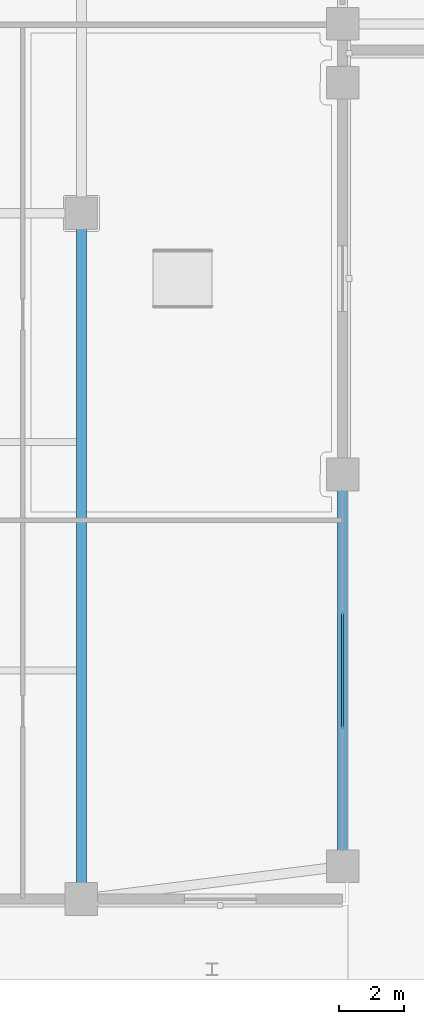
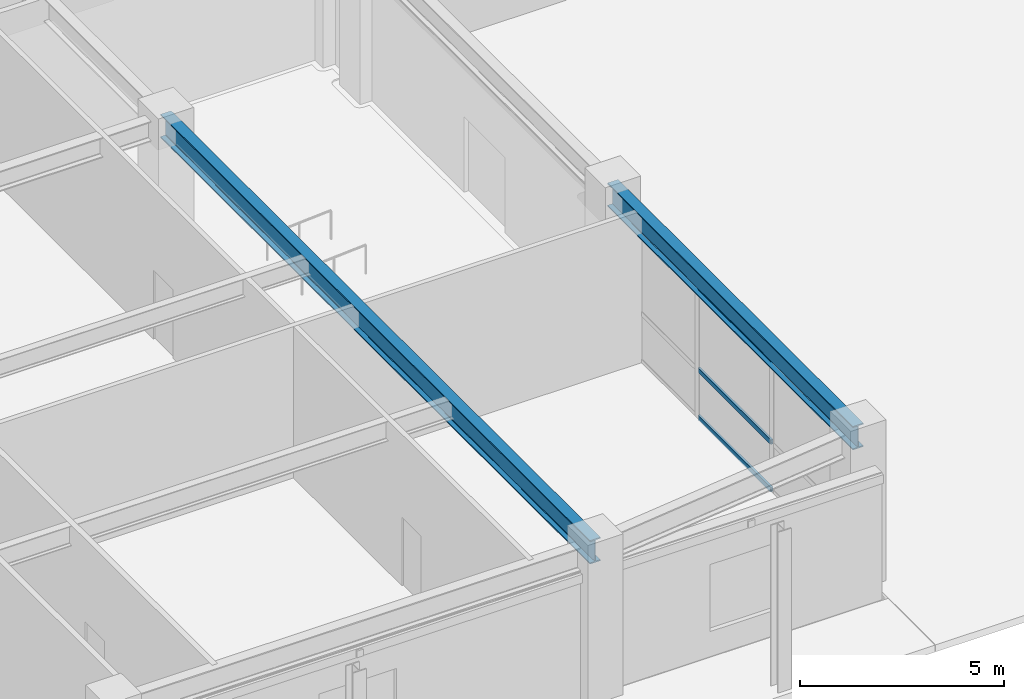
# One storey, part 6 of 40: 3 members, 2 beams, 1 element without a shape of its own.
"""IFC4 building model written with IfcOpenShell, lengths in metres."""

import ifcopenshell
import ifcopenshell.guid

model = None  # the IFC model being written
_history = None  # IfcOwnerHistory: only IFC2X3 demands one
_inside = {}  # id of a spatial element -> (the spatial element, [elements in it])
_under = {}  # id of a project, library or spatial element -> (it, [spatial elements below it])
_declared = {}  # id of a project -> (the project, [libraries it declares])
_typed = {}  # id of a type object -> (the type object, [elements of that type])
_made_of = {}  # id of a material, layer set ... -> (it, [elements and type objects made of it])


def new_model(schema):
    """Start an empty IFC model of exactly this schema.

    Asked for "IFC4X3", IfcOpenShell would pick the latest addendum, in which some entities
    have other attributes; the version numbers below select the first issue.
    IFC2X3 requires an IfcOwnerHistory on every rooted entity: one is made here for all.
    """
    global model, _history
    if schema == "IFC4X3":
        model = ifcopenshell.file(schema_version=(4, 3, 0, 0))
    else:
        model = ifcopenshell.file(schema=schema)
    _inside.clear()
    _under.clear()
    _declared.clear()
    _typed.clear()
    _made_of.clear()
    _history = None
    if model.schema == "IFC2X3":
        org = make("IfcOrganization", Name="unknown")
        user = make(
            "IfcPersonAndOrganization",
            ThePerson=make("IfcPerson", FamilyName="unknown"),
            TheOrganization=org,
        )
        app = make(
            "IfcApplication",
            ApplicationDeveloper=org,
            Version="unknown",
            ApplicationFullName="unknown",
            ApplicationIdentifier="unknown",
        )
        _history = make(
            "IfcOwnerHistory",
            OwningUser=user,
            OwningApplication=app,
            ChangeAction="ADDED",
            CreationDate=0,
        )
    return model


def make(cls, **values):
    """One entity of the class cls with the attributes given. An attribute that is None is left unset."""
    return model.create_entity(
        cls, **{name: value for name, value in values.items() if value is not None}
    )


def rooted(cls, **values):
    """An entity with a GlobalId (a new one), such as an element, a storey or a relation."""
    return make(cls, GlobalId=ifcopenshell.guid.new(), OwnerHistory=_history, **values)


def si_unit(unit_type, name, prefix=None):
    """IfcSIUnit, for example si_unit("LENGTHUNIT", "METRE", prefix="MILLI")."""
    return make("IfcSIUnit", UnitType=unit_type, Prefix=prefix, Name=name)


def derived_unit(unit_type, elements):
    """IfcDerivedUnit: a product of units, each with its exponent."""
    return make(
        "IfcDerivedUnit",
        Elements=[
            make("IfcDerivedUnitElement", Unit=unit, Exponent=power)
            for unit, power in elements
        ],
        UnitType=unit_type,
    )


def assignment(units):
    """IfcUnitAssignment: the units of a project."""
    return None if units is None else make("IfcUnitAssignment", Units=units)


def point(xyz):
    """IfcCartesianPoint."""
    return None if xyz is None else make("IfcCartesianPoint", Coordinates=xyz)


def direction(xyz):
    """IfcDirection."""
    return None if xyz is None else make("IfcDirection", DirectionRatios=xyz)


def frame(location, z_axis=None, x_axis=None):
    """IfcAxis2Placement3D, a coordinate frame: its origin and axes. An axis left out is left unset."""
    return make(
        "IfcAxis2Placement3D",
        Location=point(location),
        Axis=direction(z_axis),
        RefDirection=direction(x_axis),
    )


def frame_2d(location, x_axis=None):
    """IfcAxis2Placement2D, a coordinate frame in the plane: its origin and x axis."""
    return make(
        "IfcAxis2Placement2D", Location=point(location), RefDirection=direction(x_axis)
    )


def origin():
    """The frame at (0, 0, 0) with its axes left unset."""
    return frame((0.0, 0.0, 0.0))


def origin_2d():
    """The frame at (0, 0) in the plane with its x axis left unset."""
    return frame_2d((0.0, 0.0))


def place(relative_to, where):
    """IfcLocalPlacement: puts the frame where relative to a parent placement (None: the world)."""
    return make(
        "IfcLocalPlacement", PlacementRelTo=relative_to, RelativePlacement=where
    )


def context(
    kind, dimensions, precision=None, world=None, true_north=None, identifier=None
):
    """IfcGeometricRepresentationContext, for example the 3D "Model" context."""
    return make(
        "IfcGeometricRepresentationContext",
        ContextIdentifier=identifier,
        ContextType=kind,
        CoordinateSpaceDimension=dimensions,
        Precision=precision,
        WorldCoordinateSystem=world,
        TrueNorth=true_north,
    )


def subcontext(parent, identifier, kind, view, scale=None):
    """IfcGeometricRepresentationSubContext, for example "Body" below "Model"."""
    return make(
        "IfcGeometricRepresentationSubContext",
        ContextIdentifier=identifier,
        ContextType=kind,
        ParentContext=parent,
        TargetScale=scale,
        TargetView=view,
    )


def project(units=None, contexts=None):
    """IfcProject with its units and contexts."""
    return rooted(
        "IfcProject",
        Name="project",
        RepresentationContexts=contexts,
        UnitsInContext=assignment(units),
    )


def spatial(cls, under=None, at=None, **own):
    """A site, building, storey or space (cls), placed at a placement, below another one or the project."""
    s = rooted(cls, ObjectPlacement=at, **own)
    if under is not None:
        _under.setdefault(under.id(), (under, []))[1].append(s)
    return s


def profile(cls, at=None, kind="AREA", **sizes):
    """A parametric profile (cls). Its sizes go by their IFC names, for example OverallWidth=200.0."""
    return make(cls, ProfileType=kind, Position=at, **sizes)


def hollow_rectangle(**sizes):
    """IfcRectangleHollowProfileDef."""
    return profile("IfcRectangleHollowProfileDef", **sizes)


def i_section(**sizes):
    """IfcIShapeProfileDef."""
    return profile("IfcIShapeProfileDef", **sizes)


def extrude(swept, where, along, depth):
    """IfcExtrudedAreaSolid: the profile swept, set in the frame where, extruded along a direction by depth."""
    return make(
        "IfcExtrudedAreaSolid",
        SweptArea=swept,
        Position=where,
        ExtrudedDirection=direction(along),
        Depth=depth,
    )


def shape(context_of_items, identifier, shape_type, items):
    """IfcShapeRepresentation: the items that make up one representation, for example the "Body"."""
    return make(
        "IfcShapeRepresentation",
        ContextOfItems=context_of_items,
        RepresentationIdentifier=identifier,
        RepresentationType=shape_type,
        Items=items,
    )


def source(mapping_origin, context_of_items, identifier, shape_type, items):
    """IfcRepresentationMap: a shape defined once, which mapped items show again and again."""
    return make(
        "IfcRepresentationMap",
        MappingOrigin=mapping_origin,
        MappedRepresentation=shape(context_of_items, identifier, shape_type, items),
    )


def transform(
    local_origin,
    x_axis=None,
    y_axis=None,
    z_axis=None,
    scale=None,
    scale2=None,
    scale3=None,
    uniform=True,
):
    """IfcCartesianTransformationOperator3D, or its non-uniform kind. x_axis, y_axis, z_axis: its Axis1, 2, 3."""
    if uniform:
        return make(
            "IfcCartesianTransformationOperator3D",
            Axis1=direction(x_axis),
            Axis2=direction(y_axis),
            LocalOrigin=point(local_origin),
            Scale=scale,
            Axis3=direction(z_axis),
        )
    return make(
        "IfcCartesianTransformationOperator3DnonUniform",
        Axis1=direction(x_axis),
        Axis2=direction(y_axis),
        LocalOrigin=point(local_origin),
        Scale=scale,
        Axis3=direction(z_axis),
        Scale2=scale2,
        Scale3=scale3,
    )


def mapped(mapping_source, mapping_target):
    """IfcMappedItem: shows the shape of a source again, moved by a transform."""
    return make(
        "IfcMappedItem", MappingSource=mapping_source, MappingTarget=mapping_target
    )


def material(Name=None, Category=None):
    """IfcMaterial."""
    return make("IfcMaterial", Name=Name, Category=Category)


def layer(
    of_material, thickness, ventilated=None, Name=None, Category=None, Priority=None
):
    """IfcMaterialLayer: one layer of a wall or slab, of a material (None: an air gap)."""
    return make(
        "IfcMaterialLayer",
        Material=of_material,
        LayerThickness=thickness,
        IsVentilated=ventilated,
        Name=Name,
        Category=Category,
        Priority=Priority,
    )


def layer_set(layers, Name=None):
    """IfcMaterialLayerSet."""
    return make("IfcMaterialLayerSet", MaterialLayers=layers, LayerSetName=Name)


def material_profile(
    of_material, cross_section, Name=None, Category=None, Priority=None
):
    """IfcMaterialProfile: a cross section and its material."""
    return make(
        "IfcMaterialProfile",
        Name=Name,
        Material=of_material,
        Profile=cross_section,
        Priority=Priority,
        Category=Category,
    )


def profile_set(profiles, Name=None, composite=None):
    """IfcMaterialProfileSet."""
    return make(
        "IfcMaterialProfileSet",
        Name=Name,
        MaterialProfiles=profiles,
        CompositeProfile=composite,
    )


def made_of(thing, what):
    """Note that an element or type object is made of a material, layer set ...; save() writes the relation."""
    if what is not None:
        _made_of.setdefault(what.id(), (what, []))[1].append(thing)
    return thing


def type_object(cls, material=None, **own):
    """A type object (cls), such as IfcWallType, which elements share."""
    return made_of(rooted(cls, **own), material)


def element(
    cls,
    number,
    at=None,
    inside=None,
    cuts=None,
    type_object=None,
    material=None,
    context=None,
    identifier="Body",
    shape_type=None,
    held_by="IfcProductDefinitionShape",
    body=None,
    shapes=None,
    **own,
):
    """One element of the class cls, such as IfcWall. Its Tag is "e" and its number.

    at: its placement. inside: the storey or other place that contains it. cuts: it is an
    opening in that element (IfcRelVoidsElement). A single representation is given by context,
    identifier, shape_type and body (its items); several are given by shapes. held_by: the class
    of the entity that holds the representations. save() writes the other relations.
    """
    e = rooted(cls, Tag="e%d" % number, ObjectPlacement=at, **own)
    if body is not None:
        shapes = [shape(context, identifier, shape_type, body)]
    if shapes is not None:
        e.Representation = make(held_by, Representations=shapes)
    if inside is not None:
        _inside.setdefault(inside.id(), (inside, []))[1].append(e)
    if cuts is not None:
        rooted(
            "IfcRelVoidsElement", RelatingBuildingElement=cuts, RelatedOpeningElement=e
        )
    if type_object is not None:
        _typed.setdefault(type_object.id(), (type_object, []))[1].append(e)
    return made_of(e, material)


def aggregate(whole, parts):
    """IfcRelAggregates: a whole, such as a stair, and the parts it consists of."""
    return rooted("IfcRelAggregates", RelatingObject=whole, RelatedObjects=parts)


def save(model, path):
    """Write the relations noted so far, then the file.

    IfcRelAggregates (storeys below a building ...), IfcRelContainedInSpatialStructure (elements
    in a storey), IfcRelDefinesByType, IfcRelAssociatesMaterial and IfcRelDeclares: one each for
    every whole, place, type object, material and project.
    """
    for whole, parts in _under.values():
        aggregate(whole, parts)
    for where, things in _inside.values():
        rooted(
            "IfcRelContainedInSpatialStructure",
            RelatedElements=things,
            RelatingStructure=where,
        )
    for kind, things in _typed.values():
        rooted("IfcRelDefinesByType", RelatedObjects=things, RelatingType=kind)
    for what, things in _made_of.values():
        rooted("IfcRelAssociatesMaterial", RelatedObjects=things, RelatingMaterial=what)
    for by, libraries in _declared.values():
        rooted("IfcRelDeclares", RelatingContext=by, RelatedDefinitions=libraries)
    model.write(path)


model = new_model("IFC4")

# Units and contexts
model_context = context("Model", 3, precision=1e-05, world=origin(), true_north=direction((0.0, 1.0)))
body_context = subcontext(model_context, "Body", "Model", "MODEL_VIEW")
ifc_project = project(units=[si_unit("LENGTHUNIT", "METRE"), si_unit("AREAUNIT", "SQUARE_METRE"), si_unit("VOLUMEUNIT", "CUBIC_METRE"), si_unit("PLANEANGLEUNIT", "RADIAN"), si_unit("MASSUNIT", "GRAM", prefix="KILO"), derived_unit("THERMALTRANSMITTANCEUNIT", [(si_unit("POWERUNIT", "WATT"), 1), (si_unit("LENGTHUNIT", "METRE"), -2), (si_unit("THERMODYNAMICTEMPERATUREUNIT", "KELVIN"), -1)])], contexts=[model_context])

# Site, building, storey
site_placement = place(None, origin())
site = spatial("IfcSite", under=ifc_project, at=site_placement, CompositionType="ELEMENT")
building_placement = place(site_placement, origin())
building = spatial("IfcBuilding", under=site, at=building_placement, Name="Korsvarv Bourse and Concert Hall", CompositionType="ELEMENT")
storey_placement = place(building_placement, origin())
storey = spatial("IfcBuildingStorey", under=building, at=storey_placement, Name="L00", CompositionType="ELEMENT", Elevation=0.0)

# Beams
ifc_material_1 = material(Name="Steel S355", Category="steel")
ifc_material_profile_1 = material_profile(ifc_material_1, i_section(OverallWidth=0.300048828125, OverallDepth=0.699951171875, WebThickness=0.01708984375, FlangeThickness=0.031982421875, FilletRadius=0.027099609375, at=origin_2d()), Name="HEB 700")
ifc_profile_set_1 = profile_set([ifc_material_profile_1], Name="Steel S355")
beam_type = type_object("IfcBeamType", Name="BM-HEB700", PredefinedType="BEAM", material=ifc_profile_set_1)
shared_shape_1 = source(origin(), body_context, "Body", "SweptSolid", [
    extrude(i_section(OverallWidth=0.300048828125, OverallDepth=0.699951171875, WebThickness=0.01708984375, FlangeThickness=0.031982421875, FilletRadius=0.027099609375, at=origin_2d()), origin(), (0.0, 0.0, 1.0), 12.0),
])
beam_1_placement = place(storey_placement, frame((66.0, 4.0, 4.169921875), z_axis=(0.0, 1.0, 0.0), x_axis=(-1.0, 0.0, 0.0)))
element("IfcBeam", 1, at=beam_1_placement, inside=storey, type_object=beam_type, Name="L00 beam B-03", PredefinedType="BEAM", context=body_context, shape_type="MappedRepresentation", body=[
    mapped(shared_shape_1, transform((0.0, 0.0, 0.0), scale=1.0)),
])
shared_shape_2 = source(origin(), body_context, "Body", "SweptSolid", [
    extrude(i_section(OverallWidth=0.300048828125, OverallDepth=0.699951171875, WebThickness=0.01708984375, FlangeThickness=0.031982421875, FilletRadius=0.027099609375, at=origin_2d()), origin(), (0.0, 0.0, 1.0), 21.0),
])
beam_2_placement = place(storey_placement, frame((58.0, 3.0, 4.169921875), z_axis=(0.0, 1.0, 0.0), x_axis=(-1.0, 0.0, 0.0)))
element("IfcBeam", 2, at=beam_2_placement, inside=storey, type_object=beam_type, Name="L00 beam B-03", PredefinedType="BEAM", context=body_context, shape_type="MappedRepresentation", body=[
    mapped(shared_shape_2, transform((0.0, 0.0, 0.0), scale=1.0)),
])

# Curtain wall, members
ifc_material_2 = material(Name="Anodised aluminium and triple low-E glazing", Category="glass")
ifc_layer = layer(ifc_material_2, 0.239990234375)
ifc_layer_set = layer_set([ifc_layer], Name="Anodised aluminium and triple low-E glazing")
curtain_wall_type = type_object("IfcCurtainWallType", Name="CW-SYS-5", PredefinedType="NOTDEFINED", material=ifc_layer_set)
curtain_wall_placement = place(storey_placement, origin())
curtain_wall = element("IfcCurtainWall", 3, at=curtain_wall_placement, inside=storey, type_object=curtain_wall_type, Name="L00 CW5 curtain wall CW-L00-E1", PredefinedType="NOTDEFINED")
ifc_material_3 = material(Name="Extruded aluminium EN AW-6063 T66", Category="aluminium")
ifc_material_profile_2 = material_profile(ifc_material_3, hollow_rectangle(XDim=0.06494140625, YDim=0.139892578125, WallThickness=0.00390625, at=origin_2d()), Name="ALU-T 65x140")
ifc_profile_set_2 = profile_set([ifc_material_profile_2], Name="Extruded aluminium EN AW-6063 T66")
member_type = type_object("IfcMemberType", Name="CWT-140", PredefinedType="USERDEFINED", material=ifc_profile_set_2)
shared_shape_3 = source(origin(), body_context, "Body", "SweptSolid", [
    extrude(hollow_rectangle(XDim=0.06494140625, YDim=0.139892578125, WallThickness=0.00390625, at=origin_2d()), origin(), (0.0, 0.0, 1.0), 3.5634765625),
])
member_1_placement = place(storey_placement, frame((66.0, 8.21826171875, 0.032470703125), z_axis=(0.0, 1.0, 0.0), x_axis=(-1.0, 0.0, 0.0)))
member_1 = element("IfcMember", 4, at=member_1_placement, type_object=member_type, Name="CW5 transom 2.1", ObjectType="TRANSOM", PredefinedType="USERDEFINED", context=body_context, shape_type="MappedRepresentation", body=[
    mapped(shared_shape_3, transform((0.0, 0.0, 0.0), scale=1.0)),
])
member_2_placement = place(storey_placement, frame((66.0, 8.21826171875, 1.45166015625), z_axis=(0.0, 1.0, 0.0), x_axis=(-1.0, 0.0, 0.0)))
member_2 = element("IfcMember", 5, at=member_2_placement, type_object=member_type, Name="CW5 transom 2.2", ObjectType="TRANSOM", PredefinedType="USERDEFINED", context=body_context, shape_type="MappedRepresentation", body=[
    mapped(shared_shape_3, transform((0.0, 0.0, 0.0), scale=1.0)),
])
member_3_placement = place(storey_placement, frame((66.0, 8.21826171875, 3.78759765625), z_axis=(0.0, 1.0, 0.0), x_axis=(-1.0, 0.0, 0.0)))
member_3 = element("IfcMember", 6, at=member_3_placement, type_object=member_type, Name="CW5 transom 2.3", ObjectType="TRANSOM", PredefinedType="USERDEFINED", context=body_context, shape_type="MappedRepresentation", body=[
    mapped(shared_shape_3, transform((0.0, 0.0, 0.0), scale=1.0)),
])
aggregate(curtain_wall, [member_1, member_2, member_3])

save(model, "model.ifc")
